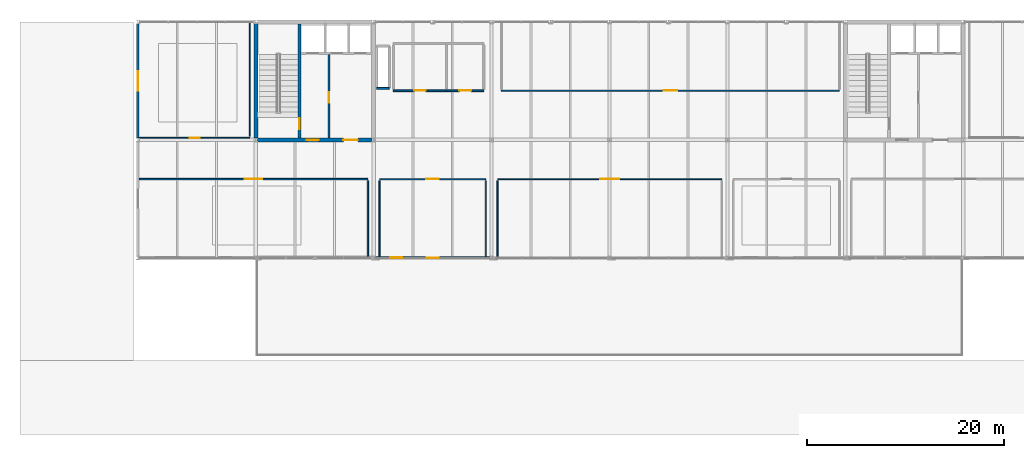
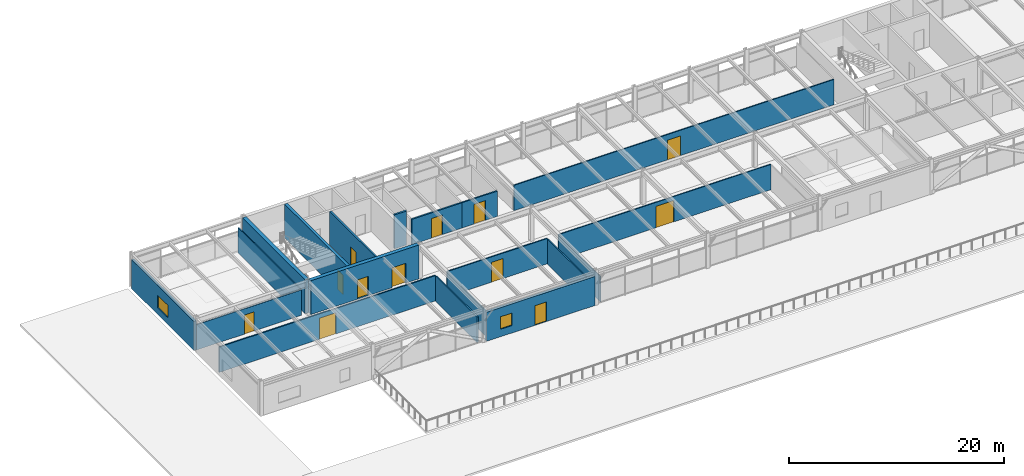
# One storey, part 23 of 30: 19 walls, 12 doors, 2 windows, 14 openings.
"""IFC4 building model written with IfcOpenShell, lengths in metres."""

from ifc_helpers import new_model, si_unit, direction, frame, frame_2d, origin, place, context, subcontext, project, spatial, rectangle, extrude, material, layer, layer_set, type_object, element, fill, save


model = new_model("IFC4")

# Units and contexts
model_context = context("Model", 3, precision=1e-05, world=origin(), true_north=direction((0.0, 1.0)))
body_context = subcontext(model_context, "Body", "Model", "MODEL_VIEW")
ifc_project = project(units=[si_unit("LENGTHUNIT", "METRE"), si_unit("AREAUNIT", "SQUARE_METRE"), si_unit("VOLUMEUNIT", "CUBIC_METRE"), si_unit("PLANEANGLEUNIT", "RADIAN"), si_unit("MASSUNIT", "GRAM", prefix="KILO")], contexts=[model_context])

# Site, building, storey
site_placement = place(None, origin())
site = spatial("IfcSite", under=ifc_project, at=site_placement, CompositionType="ELEMENT")
building_placement = place(site_placement, origin())
building = spatial("IfcBuilding", under=site, at=building_placement, Name="Girod Span Mobility Hub", CompositionType="ELEMENT")
storey_placement = place(building_placement, frame((0.0, 0.0, 49.60009765625)))
storey = spatial("IfcBuildingStorey", under=building, at=storey_placement, Name="L12", CompositionType="ELEMENT", Elevation=49.60009765625)

# Wall, openings, doors
ifc_material_1 = material(Name="Concrete C40/50", Category="concrete")
ifc_layer_1 = layer(ifc_material_1, 0.39990234375)
ifc_layer_set_1 = layer_set([ifc_layer_1], Name="Concrete C40/50")
wall_type_1 = type_object("IfcWallType", Name="W-CW-400", PredefinedType="SHEAR", material=ifc_layer_set_1)
wall_1_placement = place(storey_placement, frame((48.194091796875, 57.0, 0.0), z_axis=(0.0, 0.0, 1.0), x_axis=(1.0, 0.0, 0.0)))
wall_1 = element("IfcWall", 1, at=wall_1_placement, inside=storey, type_object=wall_type_1, Name="Core C1 Shear Wall S L12", PredefinedType="SHEAR", context=body_context, shape_type="SweptSolid", body=[
    extrude(rectangle(XDim=11.61181640625, YDim=0.39990234375, at=frame_2d((5.805908203125, 0.0))), origin(), (0.0, 0.0, 1.0), 3.847900390625),
])
opening_1_placement = place(wall_1_placement, frame((5.006103515625, 0.0, 0.0)))
opening_1 = element("IfcOpeningElement", 2, at=opening_1_placement, cuts=wall_1, Name="Opening D-FL-C1-L12", PredefinedType="OPENING", context=body_context, shape_type="SweptSolid", body=[
    extrude(rectangle(XDim=1.199951171875, YDim=2.199951171875, at=frame_2d((0.60009765625, 1.10009765625))), frame((0.0, 0.21484375, 0.0), z_axis=(0.0, -1.0, 0.0), x_axis=(1.0, 0.0, 0.0)), (0.0, 0.0, 1.0), 0.429931640625),
])
opening_2_placement = place(wall_1_placement, frame((8.7060546875, 0.0, 0.0)))
opening_2 = element("IfcOpeningElement", 3, at=opening_2_placement, cuts=wall_1, Name="Opening D-LB-C1-L12", PredefinedType="OPENING", context=body_context, shape_type="SweptSolid", body=[
    extrude(rectangle(XDim=1.5, YDim=2.25, at=frame_2d((0.75, 1.125))), frame((0.0, 0.21484375, 0.0), z_axis=(0.0, -1.0, 0.0), x_axis=(1.0, 0.0, 0.0)), (0.0, 0.0, 1.0), 0.429931640625),
])
ifc_material_2 = material(Name="Fire-Rated Insulated Hollow Metal Steel", Category="steel")
door_type_1 = type_object("IfcDoorType", Name="DT-FD-03", OperationType="DOUBLE_DOOR_SINGLE_SWING", PredefinedType="DOOR", material=ifc_material_2)
door_1_placement = place(opening_2_placement, origin())
door_1 = element("IfcDoor", 4, at=door_1_placement, inside=storey, type_object=door_type_1, Name="Lift Lobby Entry Door C1 L12", OperationType="DOUBLE_DOOR_SINGLE_SWING", OverallHeight=2.25, OverallWidth=1.5, PredefinedType="DOOR", context=body_context, shape_type="SweptSolid", body=[
    extrude(rectangle(XDim=1.5, YDim=2.25, at=frame_2d((0.75, 1.125))), frame((0.0, 0.02490234375, 0.0), z_axis=(0.0, -1.0, 0.0), x_axis=(1.0, 0.0, 0.0)), (0.0, 0.0, 1.0), 0.050048828125),
])
fill(opening_2, door_1)
ifc_material_3 = material(Name="Fire-Rated Insulated Hollow Metal Steel", Category="steel")
door_type_2 = type_object("IfcDoorType", Name="DT-FD-05", OperationType="NOTDEFINED", PredefinedType="DOOR", material=ifc_material_3)
door_2_placement = place(opening_1_placement, origin())
door_2 = element("IfcDoor", 5, at=door_2_placement, inside=storey, type_object=door_type_2, Name="Firefighting Lobby Entry Door C1 L12", OperationType="SINGLE_SWING_RIGHT", OverallHeight=2.199951171875, OverallWidth=1.199951171875, PredefinedType="DOOR", context=body_context, shape_type="SweptSolid", body=[
    extrude(rectangle(XDim=1.199951171875, YDim=2.199951171875, at=frame_2d((0.60009765625, 1.10009765625))), frame((0.0, 0.02490234375, 0.0), z_axis=(0.0, -1.0, 0.0), x_axis=(1.0, 0.0, 0.0)), (0.0, 0.0, 1.0), 0.050048828125),
])
fill(opening_1, door_2)

# Wall
wall_2_placement = place(storey_placement, frame((48.0, 57.1845703125, 0.0), z_axis=(0.0, 0.0, 1.0), x_axis=(0.0, 1.0, 0.0)))
element("IfcWall", 6, at=wall_2_placement, inside=storey, type_object=wall_type_1, Name="Core C1 Shear Wall W L12", PredefinedType="SHEAR", context=body_context, shape_type="SweptSolid", body=[
    extrude(rectangle(XDim=11.640380859375, YDim=0.39990234375, at=frame_2d((5.8203125, 0.0))), origin(), (0.0, 0.0, 1.0), 3.847900390625),
])

# Wall, openings, door, window
ifc_material_4 = material(Name="Precast Architectural Concrete C40/50", Category="concrete")
ifc_layer_2 = layer(ifc_material_4, 0.27001953125)
ifc_layer_set_2 = layer_set([ifc_layer_2], Name="Precast Architectural Concrete C40/50")
wall_type_2 = type_object("IfcWallType", Name="W-EXT-270", PredefinedType="SOLIDWALL", material=ifc_layer_set_2)
wall_3_placement = place(storey_placement, frame((60.1826171875, 45.0, 0.0), z_axis=(0.0, 0.0, 1.0), x_axis=(1.0, 0.0, 0.0)))
wall_3 = element("IfcWall", 7, at=wall_3_placement, inside=storey, type_object=wall_type_2, Name="L12 South Sky Terrace Portal Wall 5", PredefinedType="SOLIDWALL", context=body_context, shape_type="SweptSolid", body=[
    extrude(rectangle(XDim=11.634765625, YDim=0.27001953125, at=frame_2d((5.8173828125, 0.0))), origin(), (0.0, 0.0, 1.0), 3.30078125),
])
opening_3_placement = place(wall_3_placement, frame((5.197021484375, 0.0, 0.0)))
opening_3 = element("IfcOpeningElement", 8, at=opening_3_placement, cuts=wall_3, Name="Opening D-L12-T5", PredefinedType="OPENING", context=body_context, shape_type="SweptSolid", body=[
    extrude(rectangle(XDim=1.239990234375, YDim=2.239990234375, at=frame_2d((0.6201171875, 1.1201171875))), frame((0.0, 0.14990234375, 0.0), z_axis=(0.0, -1.0, 0.0), x_axis=(1.0, 0.0, 0.0)), (0.0, 0.0, 1.0), 0.300048828125),
])
opening_4_placement = place(wall_3_placement, frame((1.5, 0.0, 0.85009765625)))
opening_4 = element("IfcOpeningElement", 9, at=opening_4_placement, cuts=wall_3, Name="Opening W-L12-T5", PredefinedType="OPENING", context=body_context, shape_type="SweptSolid", body=[
    extrude(rectangle(XDim=1.219970703125, YDim=1.419921875, at=frame_2d((0.60986328125, 0.7099609375))), frame((0.0, 0.14990234375, 0.0), z_axis=(0.0, -1.0, 0.0), x_axis=(1.0, 0.0, 0.0)), (0.0, 0.0, 1.0), 0.300048828125),
])
ifc_material_5 = material(Name="Thermally Broken Anodised Aluminium", Category="aluminium")
door_type_3 = type_object("IfcDoorType", Name="DR-EXT-07", OperationType="NOTDEFINED", PredefinedType="DOOR", material=ifc_material_5)
door_3_placement = place(opening_3_placement, origin())
door_3 = element("IfcDoor", 10, at=door_3_placement, inside=storey, type_object=door_type_3, Name="L12 South Sky Terrace Door 5", OperationType="SINGLE_SWING_RIGHT", OverallHeight=2.239990234375, OverallWidth=1.239990234375, PredefinedType="DOOR", context=body_context, shape_type="SweptSolid", body=[
    extrude(rectangle(XDim=1.239990234375, YDim=2.239990234375, at=frame_2d((0.6201171875, 1.1201171875))), frame((0.0, 0.02490234375, 0.0), z_axis=(0.0, -1.0, 0.0), x_axis=(1.0, 0.0, 0.0)), (0.0, 0.0, 1.0), 0.050048828125),
])
fill(opening_3, door_3)
ifc_material_6 = material(Name="Double Low-E Insulated Glazing", Category="glass")
window_type_1 = type_object("IfcWindowType", Name="WN-12", PartitioningType="SINGLE_PANEL", PredefinedType="WINDOW", material=ifc_material_6)
window_1_placement = place(opening_4_placement, origin())
window_1 = element("IfcWindow", 11, at=window_1_placement, inside=storey, type_object=window_type_1, Name="L12 Terrace Suite Window", OverallHeight=1.419921875, OverallWidth=1.219970703125, PartitioningType="SINGLE_PANEL", PredefinedType="WINDOW", context=body_context, shape_type="SweptSolid", body=[
    extrude(rectangle(XDim=1.219970703125, YDim=1.419921875, at=frame_2d((0.60986328125, 0.7099609375))), frame((0.0, 0.030029296875, 0.0), z_axis=(0.0, -1.0, 0.0), x_axis=(1.0, 0.0, 0.0)), (0.0, 0.0, 1.0), 0.06005859375),
])
fill(opening_4, window_1)

# Wall, opening, window
wall_4_placement = place(storey_placement, frame((36.0, 57.176025390625, 0.0), z_axis=(0.0, 0.0, 1.0), x_axis=(0.0, 1.0, 0.0)))
wall_4 = element("IfcWall", 12, at=wall_4_placement, inside=storey, type_object=wall_type_2, Name="End Facade Insulated Wall W-E L12", PredefinedType="SOLIDWALL", context=body_context, shape_type="SweptSolid", body=[
    extrude(rectangle(XDim=11.64794921875, YDim=0.27001953125, at=frame_2d((5.823974609375, 0.0))), origin(), (0.0, 0.0, 1.0), 3.30078125),
])
opening_5_placement = place(wall_4_placement, frame((4.823974609375, 0.0, 0.780029296875)))
opening_5 = element("IfcOpeningElement", 13, at=opening_5_placement, cuts=wall_4, Name="Opening W-L12-W4", PredefinedType="OPENING", context=body_context, shape_type="SweptSolid", body=[
    extrude(rectangle(XDim=2.0, YDim=1.419921875, at=frame_2d((1.0, 0.7099609375))), frame((0.0, 0.14990234375, 0.0), z_axis=(0.0, -1.0, 0.0), x_axis=(1.0, 0.0, 0.0)), (0.0, 0.0, 1.0), 0.300048828125),
])
ifc_material_7 = material(Name="Double Low-E Insulated Glazing", Category="glass")
window_type_2 = type_object("IfcWindowType", Name="WN-17", PartitioningType="DOUBLE_PANEL_VERTICAL", PredefinedType="WINDOW", material=ifc_material_7)
window_2_placement = place(opening_5_placement, origin())
window_2 = element("IfcWindow", 14, at=window_2_placement, inside=storey, type_object=window_type_2, Name="End Office Window WN-17", OverallHeight=1.419921875, OverallWidth=2.0, PartitioningType="DOUBLE_PANEL_VERTICAL", PredefinedType="WINDOW", context=body_context, shape_type="SweptSolid", body=[
    extrude(rectangle(XDim=2.0, YDim=1.419921875, at=frame_2d((1.0, 0.7099609375))), frame((0.0, 0.030029296875, 0.0), z_axis=(0.0, -1.0, 0.0), x_axis=(1.0, 0.0, 0.0)), (0.0, 0.0, 1.0), 0.06005859375),
])
fill(opening_5, window_2)

# Wall, opening, door
ifc_material_8 = material(Name="Concrete C40/50", Category="concrete")
ifc_layer_3 = layer(ifc_material_8, 0.18994140625)
ifc_layer_set_3 = layer_set([ifc_layer_3], Name="Concrete C40/50")
wall_type_3 = type_object("IfcWallType", Name="W-FL-190", PredefinedType="SOLIDWALL", material=ifc_layer_set_3)
wall_5_placement = place(storey_placement, frame((55.449951171875, 57.199951171875, 0.0), z_axis=(0.0, 0.0, 1.0), x_axis=(0.0, 1.0, 0.0)))
wall_5 = element("IfcWall", 15, at=wall_5_placement, inside=storey, type_object=wall_type_3, Name="Core C1 Firefighting Lobby Wall L12", PredefinedType="SOLIDWALL", context=body_context, shape_type="SweptSolid", body=[
    extrude(rectangle(XDim=8.47998046875, YDim=0.18994140625, at=frame_2d((4.239990234375, 0.0))), origin(), (0.0, 0.0, 1.0), 3.837890625),
])
opening_6_placement = place(wall_5_placement, frame((3.60009765625, 0.0, 0.0)))
opening_6 = element("IfcOpeningElement", 16, at=opening_6_placement, cuts=wall_5, Name="Opening D-FLX-C1-L12", PredefinedType="OPENING", context=body_context, shape_type="SweptSolid", body=[
    extrude(rectangle(XDim=1.0400390625, YDim=2.179931640625, at=frame_2d((0.52001953125, 1.08984375))), frame((0.0, 0.10986328125, 0.0), z_axis=(0.0, -1.0, 0.0), x_axis=(1.0, 0.0, 0.0)), (0.0, 0.0, 1.0), 0.219970703125),
])
ifc_material_9 = material(Name="Fire-Rated Insulated Hollow Metal Steel", Category="steel")
door_type_4 = type_object("IfcDoorType", Name="DT-FD-02", OperationType="NOTDEFINED", PredefinedType="DOOR", material=ifc_material_9)
door_4_placement = place(opening_6_placement, origin())
door_4 = element("IfcDoor", 17, at=door_4_placement, inside=storey, type_object=door_type_4, Name="Firefighting Lobby Interconnect Door C1 L12", OperationType="SINGLE_SWING_RIGHT", OverallHeight=2.179931640625, OverallWidth=1.0400390625, PredefinedType="DOOR", context=body_context, shape_type="SweptSolid", body=[
    extrude(rectangle(XDim=1.0400390625, YDim=2.179931640625, at=frame_2d((0.52001953125, 1.08984375))), frame((0.0, 0.02490234375, 0.0), z_axis=(0.0, -1.0, 0.0), x_axis=(1.0, 0.0, 0.0)), (0.0, 0.0, 1.0), 0.050048828125),
])
fill(opening_6, door_4)

ifc_material_10 = material(Name="Gypsum Acoustic Operable Panel on Galvanised Steel Framing", Category="steel")
ifc_layer_4 = layer(ifc_material_10, 0.10791015625)
ifc_layer_set_4 = layer_set([ifc_layer_4], Name="Gypsum Acoustic Operable Panel on Galvanised Steel Framing")
wall_type_4 = type_object("IfcWallType", Name="W-MOV-108", PredefinedType="MOVABLE", material=ifc_layer_set_4)
wall_6_placement = place(storey_placement, frame((72.60009765625, 53.0, 0.0), z_axis=(0.0, 0.0, 1.0), x_axis=(1.0, 0.0, 0.0)))
wall_6 = element("IfcWall", 18, at=wall_6_placement, inside=storey, type_object=wall_type_4, Name="Boardroom Central L12 Partition N", PredefinedType="MOVABLE", context=body_context, shape_type="SweptSolid", body=[
    extrude(rectangle(XDim=22.7998046875, YDim=0.10791015625, at=frame_2d((11.39990234375, 0.0))), origin(), (0.0, 0.0, 1.0), 2.8798828125),
])
opening_7_placement = place(wall_6_placement, frame((10.43505859375, 0.0, 0.0)))
opening_7 = element("IfcOpeningElement", 19, at=opening_7_placement, cuts=wall_6, Name="Opening D-L12-BRD-MC", PredefinedType="OPENING", context=body_context, shape_type="SweptSolid", body=[
    extrude(rectangle(XDim=1.929931640625, YDim=2.429931640625, at=frame_2d((0.96484375, 1.21484375))), frame((0.0, 0.06884765625, 0.0), z_axis=(0.0, -1.0, 0.0), x_axis=(1.0, 0.0, 0.0)), (0.0, 0.0, 1.0), 0.137939453125),
])
ifc_material_11 = material(Name="Solid-Core Architectural Timber", Category="wood")
door_type_5 = type_object("IfcDoorType", Name="DT-NR-20", OperationType="DOUBLE_DOOR_SINGLE_SWING", PredefinedType="DOOR", material=ifc_material_11)
door_5_placement = place(opening_7_placement, origin())
door_5 = element("IfcDoor", 20, at=door_5_placement, inside=storey, type_object=door_type_5, Name="Boardroom Central L12 Door", OperationType="DOUBLE_DOOR_SINGLE_SWING", OverallHeight=2.429931640625, OverallWidth=1.929931640625, PredefinedType="DOOR", context=body_context, shape_type="SweptSolid", body=[
    extrude(rectangle(XDim=1.929931640625, YDim=2.429931640625, at=frame_2d((0.96484375, 1.21484375))), frame((0.0, 0.02490234375, 0.0), z_axis=(0.0, -1.0, 0.0), x_axis=(1.0, 0.0, 0.0)), (0.0, 0.0, 1.0), 0.050048828125),
])
fill(opening_7, door_5)

# Wall
wall_7_placement = place(storey_placement, frame((72.60009765625, 45.139892578125, 0.0), z_axis=(0.0, 0.0, 1.0), x_axis=(0.0, 1.0, 0.0)))
element("IfcWall", 21, at=wall_7_placement, inside=storey, type_object=wall_type_4, Name="Boardroom Central L12 Partition W", PredefinedType="MOVABLE", context=body_context, shape_type="SweptSolid", body=[
    extrude(rectangle(XDim=7.7001953125, YDim=0.10791015625, at=frame_2d((3.85009765625, 0.0))), origin(), (0.0, 0.0, 1.0), 2.8798828125),
])

# Wall, opening, door
ifc_material_12 = material(Name="Fire-Rated Gypsum Board on Metal Studs", Category="gypsum")
ifc_layer_5 = layer(ifc_material_12, 0.155029296875)
ifc_layer_set_5 = layer_set([ifc_layer_5], Name="Fire-Rated Gypsum Board on Metal Studs")
wall_type_5 = type_object("IfcWallType", Name="W-PLB-155", PredefinedType="PLUMBINGWALL", material=ifc_layer_set_5)
wall_8_placement = place(storey_placement, frame((62.0, 62.0, 0.0), z_axis=(0.0, 0.0, 1.0), x_axis=(1.0, 0.0, 0.0)))
wall_8 = element("IfcWall", 22, at=wall_8_placement, inside=storey, type_object=wall_type_5, Name="Restroom L12 Partition S", PredefinedType="PLUMBINGWALL", context=body_context, shape_type="SweptSolid", body=[
    extrude(rectangle(XDim=5.39990234375, YDim=0.155029296875, at=frame_2d((2.699951171875, 0.0))), origin(), (0.0, 0.0, 1.0), 2.8798828125),
])
opening_8_placement = place(wall_8_placement, frame((2.1201171875, 0.0, 0.0)))
opening_8 = element("IfcOpeningElement", 23, at=opening_8_placement, cuts=wall_8, Name="Opening D-L12-WC-MAIN", PredefinedType="OPENING", context=body_context, shape_type="SweptSolid", body=[
    extrude(rectangle(XDim=1.159912109375, YDim=2.22998046875, at=frame_2d((0.580078125, 1.114990234375))), frame((0.0, 0.092529296875, 0.0), z_axis=(0.0, -1.0, 0.0), x_axis=(1.0, 0.0, 0.0)), (0.0, 0.0, 1.0), 0.18505859375),
])
ifc_material_13 = material(Name="Solid-Core Architectural Timber", Category="wood")
door_type_6 = type_object("IfcDoorType", Name="DT-NR-07", OperationType="NOTDEFINED", PredefinedType="DOOR", material=ifc_material_13)
door_6_placement = place(opening_8_placement, origin())
door_6 = element("IfcDoor", 24, at=door_6_placement, inside=storey, type_object=door_type_6, Name="Restroom L12 Door", OperationType="SINGLE_SWING_LEFT", OverallHeight=2.22998046875, OverallWidth=1.159912109375, PredefinedType="DOOR", context=body_context, shape_type="SweptSolid", body=[
    extrude(rectangle(XDim=1.159912109375, YDim=2.22998046875, at=frame_2d((0.580078125, 1.114990234375))), frame((0.0, 0.02490234375, 0.0), z_axis=(0.0, -1.0, 0.0), x_axis=(1.0, 0.0, 0.0)), (0.0, 0.0, 1.0), 0.050048828125),
])
fill(opening_8, door_6)

wall_9_placement = place(storey_placement, frame((67.39990234375, 62.0, 0.0), z_axis=(0.0, 0.0, 1.0), x_axis=(1.0, 0.0, 0.0)))
wall_9 = element("IfcWall", 25, at=wall_9_placement, inside=storey, type_object=wall_type_5, Name="Accessible WC L12 Partition S", PredefinedType="PLUMBINGWALL", context=body_context, shape_type="SweptSolid", body=[
    extrude(rectangle(XDim=3.800048828125, YDim=0.155029296875, at=frame_2d((1.89990234375, 0.0))), origin(), (0.0, 0.0, 1.0), 2.8798828125),
])
opening_9_placement = place(wall_9_placement, frame((1.294921875, 0.0, 0.0)))
opening_9 = element("IfcOpeningElement", 26, at=opening_9_placement, cuts=wall_9, Name="Opening D-L12-WC-ACC", PredefinedType="OPENING", context=body_context, shape_type="SweptSolid", body=[
    extrude(rectangle(XDim=1.2099609375, YDim=2.25, at=frame_2d((0.60498046875, 1.125))), frame((0.0, 0.092529296875, 0.0), z_axis=(0.0, -1.0, 0.0), x_axis=(1.0, 0.0, 0.0)), (0.0, 0.0, 1.0), 0.18505859375),
])
ifc_material_14 = material(Name="Solid-Core Architectural Timber", Category="wood")
door_type_7 = type_object("IfcDoorType", Name="DT-NR-08", OperationType="NOTDEFINED", PredefinedType="DOOR", material=ifc_material_14)
door_7_placement = place(opening_9_placement, origin())
door_7 = element("IfcDoor", 27, at=door_7_placement, inside=storey, type_object=door_type_7, Name="Accessible WC L12 Door", OperationType="SINGLE_SWING_RIGHT", OverallHeight=2.25, OverallWidth=1.2099609375, PredefinedType="DOOR", context=body_context, shape_type="SweptSolid", body=[
    extrude(rectangle(XDim=1.2099609375, YDim=2.25, at=frame_2d((0.60498046875, 1.125))), frame((0.0, 0.02490234375, 0.0), z_axis=(0.0, -1.0, 0.0), x_axis=(1.0, 0.0, 0.0)), (0.0, 0.0, 1.0), 0.050048828125),
])
fill(opening_9, door_7)

ifc_material_15 = material(Name="Fire-Rated Gypsum Board on Metal Studs", Category="gypsum")
ifc_layer_6 = layer(ifc_material_15, 0.114990234375)
ifc_layer_set_6 = layer_set([ifc_layer_6], Name="Fire-Rated Gypsum Board on Metal Studs")
wall_type_6 = type_object("IfcWallType", Name="W-PT-115", PredefinedType="PARTITIONING", material=ifc_layer_set_6)
wall_10_placement = place(storey_placement, frame((36.139892578125, 57.199951171875, 0.0), z_axis=(0.0, 0.0, 1.0), x_axis=(1.0, 0.0, 0.0)))
wall_10 = element("IfcWall", 28, at=wall_10_placement, inside=storey, type_object=wall_type_6, Name="Planning Studio North West L12 Partition S", PredefinedType="PARTITIONING", context=body_context, shape_type="SweptSolid", body=[
    extrude(rectangle(XDim=11.260009765625, YDim=0.114990234375, at=frame_2d((5.6298828125, 0.0))), origin(), (0.0, 0.0, 1.0), 2.8798828125),
])
opening_10_placement = place(wall_10_placement, frame((5.114990234375, 0.0, 0.0)))
opening_10 = element("IfcOpeningElement", 29, at=opening_10_placement, cuts=wall_10, Name="Opening D-L12-OFF-MNW", PredefinedType="OPENING", context=body_context, shape_type="SweptSolid", body=[
    extrude(rectangle(XDim=1.030029296875, YDim=2.169921875, at=frame_2d((0.51513671875, 1.0849609375))), frame((0.0, 0.072509765625, 0.0), z_axis=(0.0, -1.0, 0.0), x_axis=(1.0, 0.0, 0.0)), (0.0, 0.0, 1.0), 0.14501953125),
])
ifc_material_16 = material(Name="Solid-Core Architectural Timber", Category="wood")
door_type_8 = type_object("IfcDoorType", Name="DT-NR-04", OperationType="NOTDEFINED", PredefinedType="DOOR", material=ifc_material_16)
door_8_placement = place(opening_10_placement, origin())
door_8 = element("IfcDoor", 30, at=door_8_placement, inside=storey, type_object=door_type_8, Name="Planning Studio North West L12 Door", OperationType="SINGLE_SWING_RIGHT", OverallHeight=2.169921875, OverallWidth=1.030029296875, PredefinedType="DOOR", context=body_context, shape_type="SweptSolid", body=[
    extrude(rectangle(XDim=1.030029296875, YDim=2.169921875, at=frame_2d((0.51513671875, 1.0849609375))), frame((0.0, 0.02490234375, 0.0), z_axis=(0.0, -1.0, 0.0), x_axis=(1.0, 0.0, 0.0)), (0.0, 0.0, 1.0), 0.050048828125),
])
fill(opening_10, door_8)

# Wall
wall_11_placement = place(storey_placement, frame((47.39990234375, 57.360107421875, 0.0), z_axis=(0.0, 0.0, 1.0), x_axis=(0.0, 1.0, 0.0)))
element("IfcWall", 31, at=wall_11_placement, inside=storey, type_object=wall_type_6, Name="Planning Studio North West L12 Partition E", PredefinedType="PARTITIONING", context=body_context, shape_type="SweptSolid", body=[
    extrude(rectangle(XDim=11.5, YDim=0.114990234375, at=frame_2d((5.75, 0.0))), origin(), (0.0, 0.0, 1.0), 2.8798828125),
])

# Wall, opening, door
wall_12_placement = place(storey_placement, frame((73.0, 62.0, 0.0), z_axis=(0.0, 0.0, 1.0), x_axis=(1.0, 0.0, 0.0)))
wall_12 = element("IfcWall", 32, at=wall_12_placement, inside=storey, type_object=wall_type_6, Name="Open Office North L12 Partition S", PredefinedType="PARTITIONING", context=body_context, shape_type="SweptSolid", body=[
    extrude(rectangle(XDim=34.39990234375, YDim=0.114990234375, at=frame_2d((17.199951171875, 0.0))), origin(), (0.0, 0.0, 1.0), 2.8798828125),
])
opening_11_placement = place(wall_12_placement, frame((16.510009765625, 0.0, 0.0)))
opening_11 = element("IfcOpeningElement", 33, at=opening_11_placement, cuts=wall_12, Name="Opening D-L12-OFF-MNC", PredefinedType="OPENING", context=body_context, shape_type="SweptSolid", body=[
    extrude(rectangle(XDim=1.3798828125, YDim=2.22998046875, at=frame_2d((0.68994140625, 1.114990234375))), frame((0.0, 0.072509765625, 0.0), z_axis=(0.0, -1.0, 0.0), x_axis=(1.0, 0.0, 0.0)), (0.0, 0.0, 1.0), 0.14501953125),
])
ifc_material_17 = material(Name="Solid-Core Architectural Timber", Category="wood")
door_type_9 = type_object("IfcDoorType", Name="DT-NR-11", OperationType="DOUBLE_DOOR_SINGLE_SWING", PredefinedType="DOOR", material=ifc_material_17)
door_9_placement = place(opening_11_placement, origin())
door_9 = element("IfcDoor", 34, at=door_9_placement, inside=storey, type_object=door_type_9, Name="Open Office North L12 Door", OperationType="DOUBLE_DOOR_SINGLE_SWING", OverallHeight=2.22998046875, OverallWidth=1.3798828125, PredefinedType="DOOR", context=body_context, shape_type="SweptSolid", body=[
    extrude(rectangle(XDim=1.3798828125, YDim=2.22998046875, at=frame_2d((0.68994140625, 1.114990234375))), frame((0.0, 0.02490234375, 0.0), z_axis=(0.0, -1.0, 0.0), x_axis=(1.0, 0.0, 0.0)), (0.0, 0.0, 1.0), 0.050048828125),
])
fill(opening_11, door_9)

ifc_material_18 = material(Name="Fire-Rated Gypsum Board on Metal Studs", Category="gypsum")
ifc_layer_7 = layer(ifc_material_18, 0.125)
ifc_layer_set_7 = layer_set([ifc_layer_7], Name="Fire-Rated Gypsum Board on Metal Studs")
wall_type_7 = type_object("IfcWallType", Name="W-PT-125", PredefinedType="PARTITIONING", material=ifc_layer_set_7)
wall_13_placement = place(storey_placement, frame((60.60009765625, 53.0, 0.0), z_axis=(0.0, 0.0, 1.0), x_axis=(1.0, 0.0, 0.0)))
wall_13 = element("IfcWall", 35, at=wall_13_placement, inside=storey, type_object=wall_type_7, Name="Office Suite Terrace Portal West L12 Partition N", PredefinedType="PARTITIONING", context=body_context, shape_type="SweptSolid", body=[
    extrude(rectangle(XDim=10.7998046875, YDim=0.125, at=frame_2d((5.39990234375, 0.0))), origin(), (0.0, 0.0, 1.0), 2.8798828125),
])
opening_12_placement = place(wall_13_placement, frame((4.764892578125, 0.0, 0.0)))
opening_12 = element("IfcOpeningElement", 36, at=opening_12_placement, cuts=wall_13, Name="Opening D-L12-TERR-LGW", PredefinedType="OPENING", context=body_context, shape_type="SweptSolid", body=[
    extrude(rectangle(XDim=1.27001953125, YDim=2.27001953125, at=frame_2d((0.635009765625, 1.135009765625))), frame((0.0, 0.077392578125, 0.0), z_axis=(0.0, -1.0, 0.0), x_axis=(1.0, 0.0, 0.0)), (0.0, 0.0, 1.0), 0.155029296875),
])
ifc_material_19 = material(Name="Solid-Core Architectural Timber", Category="wood")
door_type_10 = type_object("IfcDoorType", Name="DT-NR-09", OperationType="NOTDEFINED", PredefinedType="DOOR", material=ifc_material_19)
door_10_placement = place(opening_12_placement, origin())
door_10 = element("IfcDoor", 37, at=door_10_placement, inside=storey, type_object=door_type_10, Name="Office Suite Terrace Portal West L12 Door", OperationType="SINGLE_SWING_LEFT", OverallHeight=2.27001953125, OverallWidth=1.27001953125, PredefinedType="DOOR", context=body_context, shape_type="SweptSolid", body=[
    extrude(rectangle(XDim=1.27001953125, YDim=2.27001953125, at=frame_2d((0.635009765625, 1.135009765625))), frame((0.0, 0.02490234375, 0.0), z_axis=(0.0, -1.0, 0.0), x_axis=(1.0, 0.0, 0.0)), (0.0, 0.0, 1.0), 0.050048828125),
])
fill(opening_12, door_10)

# Walls
for number, where, z_axis, x_axis, name in (
    (38, (60.60009765625, 45.139892578125, 0.0), (0.0, 0.0, 1.0), (0.0, 1.0, 0.0), "Office Suite Terrace Portal West L12 Partition W"),
    (39, (71.39990234375, 45.139892578125, 0.0), (0.0, 0.0, 1.0), (0.0, 1.0, 0.0), "Office Suite Terrace Portal West L12 Partition E"),
):
    element("IfcWall", number, at=place(storey_placement, frame(where, z_axis=z_axis, x_axis=x_axis)), inside=storey, type_object=wall_type_7, Name=name, PredefinedType="PARTITIONING", context=body_context, shape_type="SweptSolid", body=[
        extrude(rectangle(XDim=7.7001953125, YDim=0.125, at=frame_2d((3.85009765625, 0.0))), origin(), (0.0, 0.0, 1.0), 2.8798828125),
    ])

# Wall, opening, door
ifc_material_20 = material(Name="Fire-Rated Gypsum Board on Metal Studs", Category="gypsum")
ifc_layer_8 = layer(ifc_material_20, 0.139892578125)
ifc_layer_set_8 = layer_set([ifc_layer_8], Name="Fire-Rated Gypsum Board on Metal Studs")
wall_type_8 = type_object("IfcWallType", Name="W-PT-140", PredefinedType="PARTITIONING", material=ifc_layer_set_8)
wall_14_placement = place(storey_placement, frame((36.139892578125, 53.0, 0.0), z_axis=(0.0, 0.0, 1.0), x_axis=(1.0, 0.0, 0.0)))
wall_14 = element("IfcWall", 40, at=wall_14_placement, inside=storey, type_object=wall_type_8, Name="Office Suite West L12 Partition N", PredefinedType="PARTITIONING", context=body_context, shape_type="SweptSolid", body=[
    extrude(rectangle(XDim=23.260009765625, YDim=0.139892578125, at=frame_2d((11.6298828125, 0.0))), origin(), (0.0, 0.0, 1.0), 2.8798828125),
])
opening_13_placement = place(wall_14_placement, frame((10.735107421875, 0.0, 0.0)))
opening_13 = element("IfcOpeningElement", 41, at=opening_13_placement, cuts=wall_14, Name="Opening D-L12-OFF-MW", PredefinedType="OPENING", context=body_context, shape_type="SweptSolid", body=[
    extrude(rectangle(XDim=1.7900390625, YDim=2.389892578125, at=frame_2d((0.89501953125, 1.19482421875))), frame((0.0, 0.0849609375, 0.0), z_axis=(0.0, -1.0, 0.0), x_axis=(1.0, 0.0, 0.0)), (0.0, 0.0, 1.0), 0.169921875),
])
ifc_material_21 = material(Name="Solid-Core Architectural Timber", Category="wood")
door_type_11 = type_object("IfcDoorType", Name="DT-NR-18", OperationType="DOUBLE_DOOR_SINGLE_SWING", PredefinedType="DOOR", material=ifc_material_21)
door_11_placement = place(opening_13_placement, origin())
door_11 = element("IfcDoor", 42, at=door_11_placement, inside=storey, type_object=door_type_11, Name="Office Suite West L12 Door", OperationType="DOUBLE_DOOR_SINGLE_SWING", OverallHeight=2.389892578125, OverallWidth=1.7900390625, PredefinedType="DOOR", context=body_context, shape_type="SweptSolid", body=[
    extrude(rectangle(XDim=1.7900390625, YDim=2.389892578125, at=frame_2d((0.89501953125, 1.19482421875))), frame((0.0, 0.02490234375, 0.0), z_axis=(0.0, -1.0, 0.0), x_axis=(1.0, 0.0, 0.0)), (0.0, 0.0, 1.0), 0.050048828125),
])
fill(opening_13, door_11)

# Walls
wall_15_placement = place(storey_placement, frame((59.39990234375, 45.139892578125, 0.0), z_axis=(0.0, 0.0, 1.0), x_axis=(0.0, 1.0, 0.0)))
element("IfcWall", 43, at=wall_15_placement, inside=storey, type_object=wall_type_8, Name="Office Suite West L12 Partition E", PredefinedType="PARTITIONING", context=body_context, shape_type="SweptSolid", body=[
    extrude(rectangle(XDim=7.7001953125, YDim=0.139892578125, at=frame_2d((3.85009765625, 0.0))), origin(), (0.0, 0.0, 1.0), 2.8798828125),
])
ifc_material_22 = material(Name="Concrete C40/50", Category="concrete")
ifc_layer_9 = layer(ifc_material_22, 0.199951171875)
ifc_layer_set_9 = layer_set([ifc_layer_9], Name="Concrete C40/50")
wall_type_9 = type_object("IfcWallType", Name="W-SH-200", PredefinedType="SOLIDWALL", material=ifc_layer_set_9)
wall_16_placement = place(storey_placement, frame((60.297119140625, 62.25, 0.0), z_axis=(0.0, 0.0, 1.0), x_axis=(1.0, 0.0, 0.0)))
element("IfcWall", 44, at=wall_16_placement, inside=storey, type_object=wall_type_9, Name="Sanitary Wet Riser Shaft Wall S L12", PredefinedType="SOLIDWALL", context=body_context, shape_type="SweptSolid", body=[
    extrude(rectangle(XDim=1.282958984375, YDim=0.199951171875, at=frame_2d((0.6416015625, 0.0))), origin(), (0.0, 0.0, 1.0), 3.847900390625),
])

# Wall, opening, door
ifc_material_23 = material(Name="Concrete C40/50", Category="concrete")
ifc_layer_10 = layer(ifc_material_23, 0.300048828125)
ifc_layer_set_10 = layer_set([ifc_layer_10], Name="Concrete C40/50")
wall_type_10 = type_object("IfcWallType", Name="W-SH-300", PredefinedType="SHEAR", material=ifc_layer_set_10)
wall_17_placement = place(storey_placement, frame((52.449951171875, 57.197021484375, 0.0), z_axis=(0.0, 0.0, 1.0), x_axis=(0.0, 1.0, 0.0)))
wall_17 = element("IfcWall", 45, at=wall_17_placement, inside=storey, type_object=wall_type_10, Name="Core C1 Stairwell Spine Wall L12", PredefinedType="SHEAR", context=body_context, shape_type="SweptSolid", body=[
    extrude(rectangle(XDim=11.60595703125, YDim=0.300048828125, at=frame_2d((5.802978515625, 0.0))), origin(), (0.0, 0.0, 1.0), 3.847900390625),
])
opening_14_placement = place(wall_17_placement, frame((0.89990234375, 0.0, 0.0)))
opening_14 = element("IfcOpeningElement", 46, at=opening_14_placement, cuts=wall_17, Name="Opening D-ST-1-L12", PredefinedType="OPENING", context=body_context, shape_type="SweptSolid", body=[
    extrude(rectangle(XDim=1.10009765625, YDim=2.199951171875, at=frame_2d((0.550048828125, 1.10009765625))), frame((0.0, 0.1650390625, 0.0), z_axis=(0.0, -1.0, 0.0), x_axis=(1.0, 0.0, 0.0)), (0.0, 0.0, 1.0), 0.330078125),
])
ifc_material_24 = material(Name="Fire-Rated Insulated Hollow Metal Steel", Category="steel")
door_type_12 = type_object("IfcDoorType", Name="DT-FD-01", OperationType="NOTDEFINED", PredefinedType="DOOR", material=ifc_material_24)
door_12_placement = place(opening_14_placement, origin())
door_12 = element("IfcDoor", 47, at=door_12_placement, inside=storey, type_object=door_type_12, Name="Stair ST-1 Fire Door L12", OperationType="SINGLE_SWING_LEFT", OverallHeight=2.199951171875, OverallWidth=1.10009765625, PredefinedType="DOOR", context=body_context, shape_type="SweptSolid", body=[
    extrude(rectangle(XDim=1.10009765625, YDim=2.199951171875, at=frame_2d((0.550048828125, 1.10009765625))), frame((0.0, 0.02490234375, 0.0), z_axis=(0.0, -1.0, 0.0), x_axis=(1.0, 0.0, 0.0)), (0.0, 0.0, 1.0), 0.050048828125),
])
fill(opening_14, door_12)

save(model, "model.ifc")
